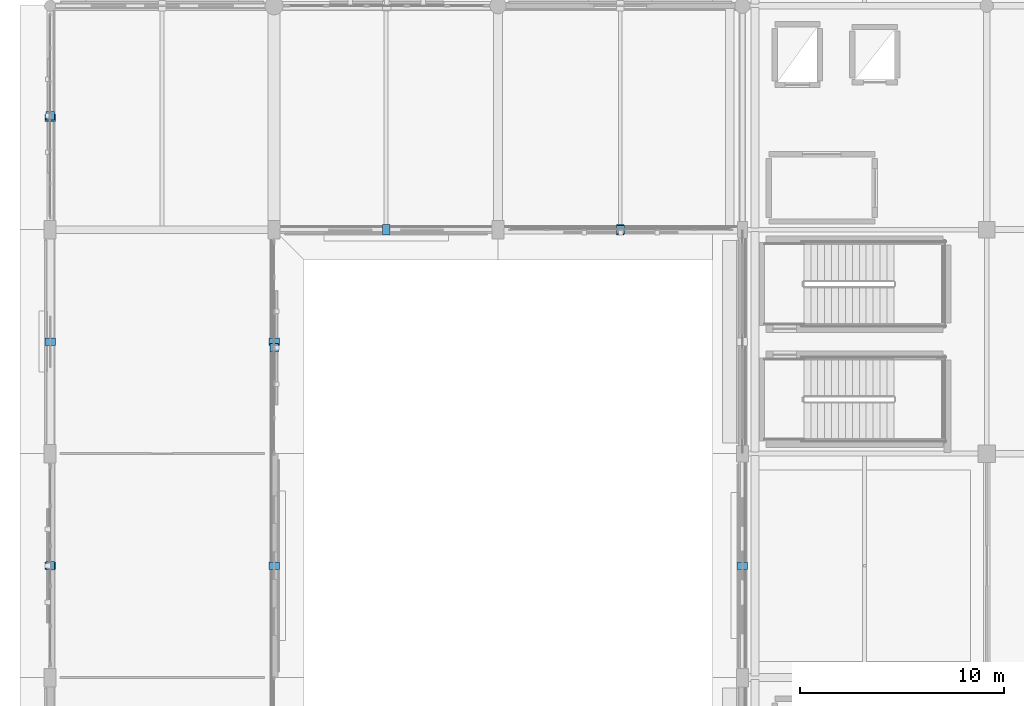
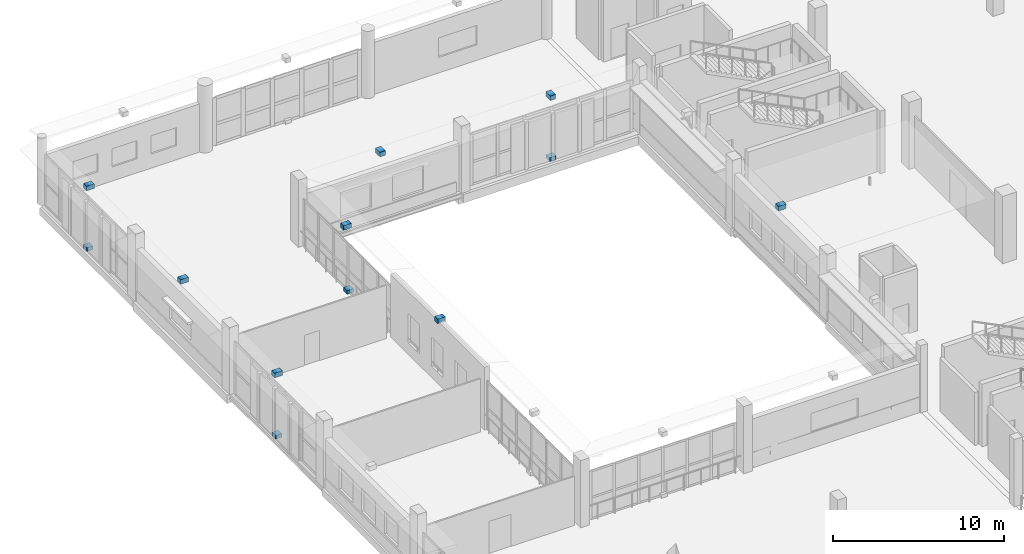
# One storey, part 109 of 143: 12 discrete accessories.
"""IFC4 building model written with IfcOpenShell, lengths in metres."""

from ifc_helpers import new_model, si_unit, direction, frame, origin, origin_2d, place, context, subcontext, project, spatial, rectangle, extrude, material, layer, layer_set, type_object, element, save


model = new_model("IFC4")

# Units and contexts
model_context = context("Model", 3, precision=1e-05, world=origin(), true_north=direction((0.0, 1.0)))
body_context = subcontext(model_context, "Body", "Model", "MODEL_VIEW")
ifc_project = project(units=[si_unit("LENGTHUNIT", "METRE"), si_unit("AREAUNIT", "SQUARE_METRE"), si_unit("VOLUMEUNIT", "CUBIC_METRE"), si_unit("PLANEANGLEUNIT", "RADIAN"), si_unit("MASSUNIT", "GRAM", prefix="KILO")], contexts=[model_context])

# Site, building, storey
site_placement = place(None, origin())
site = spatial("IfcSite", under=ifc_project, at=site_placement, CompositionType="ELEMENT")
building_placement = place(site_placement, origin())
building = spatial("IfcBuilding", under=site, at=building_placement, Name="Luwafu Chhajja Arena", CompositionType="ELEMENT")
storey_placement = place(building_placement, frame((0.0, 0.0, 5.39990234375)))
storey = spatial("IfcBuildingStorey", under=building, at=storey_placement, Name="L01", CompositionType="ELEMENT", Elevation=5.39990234375)

# Discrete accessories
ifc_material = material(Name="Stainless steel bracket", Category="steel")
ifc_layer = layer(ifc_material, 0.179931640625, Name="Stainless steel bracket")
ifc_layer_set = layer_set([ifc_layer], Name="Stainless steel bracket")
discrete_accessory_type = type_object("IfcDiscreteAccessoryType", Name="Stainless Steel Facade Support Bracket", PredefinedType="BRACKET", material=ifc_layer_set)
discrete_accessory_1_placement = place(storey_placement, frame((0.0, 71.5, 4.3798828125), z_axis=(0.0, 0.0, 1.0), x_axis=(0.0, 1.0, 0.0)))
element("IfcDiscreteAccessory", 1, at=discrete_accessory_1_placement, inside=storey, type_object=discrete_accessory_type, Name="L01 Chhajja Eave Support Bracket 0132", PredefinedType="BRACKET", context=body_context, shape_type="SweptSolid", body=[
    extrude(rectangle(XDim=0.360107421875, YDim=0.52001953125, at=origin_2d()), origin(), (0.0, 0.0, 1.0), 0.320068359375),
])
discrete_accessory_2_placement = place(storey_placement, frame((0.0, 71.5, -0.009765625), z_axis=(0.0, 0.0, 1.0), x_axis=(0.0, 1.0, 0.0)))
element("IfcDiscreteAccessory", 2, at=discrete_accessory_2_placement, inside=storey, type_object=discrete_accessory_type, Name="Jali Stainless Support Bracket 0133", PredefinedType="BRACKET", context=body_context, shape_type="SweptSolid", body=[
    extrude(rectangle(XDim=0.419921875, YDim=0.419921875, at=origin_2d()), origin(), (0.0, 0.0, 1.0), 0.260009765625),
])
for number, where, z_axis, x_axis, name in (
    (3, (11.0, 71.5, 4.3798828125), (0.0, 0.0, 1.0), (0.0, 1.0, 0.0), "L01 Chhajja Eave Support Bracket 0134"),
    (4, (0.0, 82.5, 4.3798828125), (0.0, 0.0, 1.0), (0.0, 1.0, 0.0), "L01 Chhajja Eave Support Bracket 0135"),
    (5, (11.0, 82.5, 4.3798828125), (0.0, 0.0, 1.0), (0.0, 1.0, 0.0), "L01 Chhajja Eave Support Bracket 0136"),
):
    element("IfcDiscreteAccessory", number, at=place(storey_placement, frame(where, z_axis=z_axis, x_axis=x_axis)), inside=storey, type_object=discrete_accessory_type, Name=name, PredefinedType="BRACKET", context=body_context, shape_type="SweptSolid", body=[
        extrude(rectangle(XDim=0.360107421875, YDim=0.52001953125, at=origin_2d()), origin(), (0.0, 0.0, 1.0), 0.320068359375),
    ])
discrete_accessory_3_placement = place(storey_placement, frame((11.0, 82.205078125, -0.009765625), z_axis=(0.0, 0.0, 1.0), x_axis=(0.0, 1.0, 0.0)))
element("IfcDiscreteAccessory", 6, at=discrete_accessory_3_placement, inside=storey, type_object=discrete_accessory_type, Name="Jali Stainless Support Bracket 0137", PredefinedType="BRACKET", context=body_context, shape_type="SweptSolid", body=[
    extrude(rectangle(XDim=0.419921875, YDim=0.419921875, at=origin_2d()), origin(), (0.0, 0.0, 1.0), 0.260009765625),
])
discrete_accessory_4_placement = place(storey_placement, frame((0.0, 93.5, 4.3798828125), z_axis=(0.0, 0.0, 1.0), x_axis=(0.0, 1.0, 0.0)))
element("IfcDiscreteAccessory", 7, at=discrete_accessory_4_placement, inside=storey, type_object=discrete_accessory_type, Name="L01 Chhajja Eave Support Bracket 0139", PredefinedType="BRACKET", context=body_context, shape_type="SweptSolid", body=[
    extrude(rectangle(XDim=0.360107421875, YDim=0.52001953125, at=origin_2d()), origin(), (0.0, 0.0, 1.0), 0.320068359375),
])
discrete_accessory_5_placement = place(storey_placement, frame((0.0, 93.58740234375, -0.009765625), z_axis=(0.0, 0.0, 1.0), x_axis=(0.0, 1.0, 0.0)))
element("IfcDiscreteAccessory", 8, at=discrete_accessory_5_placement, inside=storey, type_object=discrete_accessory_type, Name="Jali Stainless Support Bracket 0140", PredefinedType="BRACKET", context=body_context, shape_type="SweptSolid", body=[
    extrude(rectangle(XDim=0.419921875, YDim=0.419921875, at=origin_2d()), origin(), (0.0, 0.0, 1.0), 0.260009765625),
])
for number, where, z_axis, x_axis, name in (
    (9, (16.5, 88.0, 4.3798828125), (0.0, 0.0, 1.0), (1.0, 0.0, 0.0), "L01 Chhajja Eave Support Bracket 0147"),
    (10, (28.0, 88.0, 4.3798828125), (0.0, 0.0, 1.0), (1.0, 0.0, 0.0), "L01 Chhajja Eave Support Bracket 0153"),
):
    element("IfcDiscreteAccessory", number, at=place(storey_placement, frame(where, z_axis=z_axis, x_axis=x_axis)), inside=storey, type_object=discrete_accessory_type, Name=name, PredefinedType="BRACKET", context=body_context, shape_type="SweptSolid", body=[
        extrude(rectangle(XDim=0.360107421875, YDim=0.52001953125, at=origin_2d()), origin(), (0.0, 0.0, 1.0), 0.320068359375),
    ])
discrete_accessory_6_placement = place(storey_placement, frame((28.02490234375, 88.0, -0.009765625), z_axis=(0.0, 0.0, 1.0), x_axis=(1.0, 0.0, 0.0)))
element("IfcDiscreteAccessory", 11, at=discrete_accessory_6_placement, inside=storey, type_object=discrete_accessory_type, Name="Jali Stainless Support Bracket 0154", PredefinedType="BRACKET", context=body_context, shape_type="SweptSolid", body=[
    extrude(rectangle(XDim=0.419921875, YDim=0.419921875, at=origin_2d()), origin(), (0.0, 0.0, 1.0), 0.260009765625),
])
discrete_accessory_7_placement = place(storey_placement, frame((34.0, 71.5, 4.3798828125), z_axis=(0.0, 0.0, 1.0), x_axis=(0.0, 1.0, 0.0)))
element("IfcDiscreteAccessory", 12, at=discrete_accessory_7_placement, inside=storey, type_object=discrete_accessory_type, Name="L01 Chhajja Eave Support Bracket 0158", PredefinedType="BRACKET", context=body_context, shape_type="SweptSolid", body=[
    extrude(rectangle(XDim=0.360107421875, YDim=0.52001953125, at=origin_2d()), origin(), (0.0, 0.0, 1.0), 0.320068359375),
])

save(model, "model.ifc")
